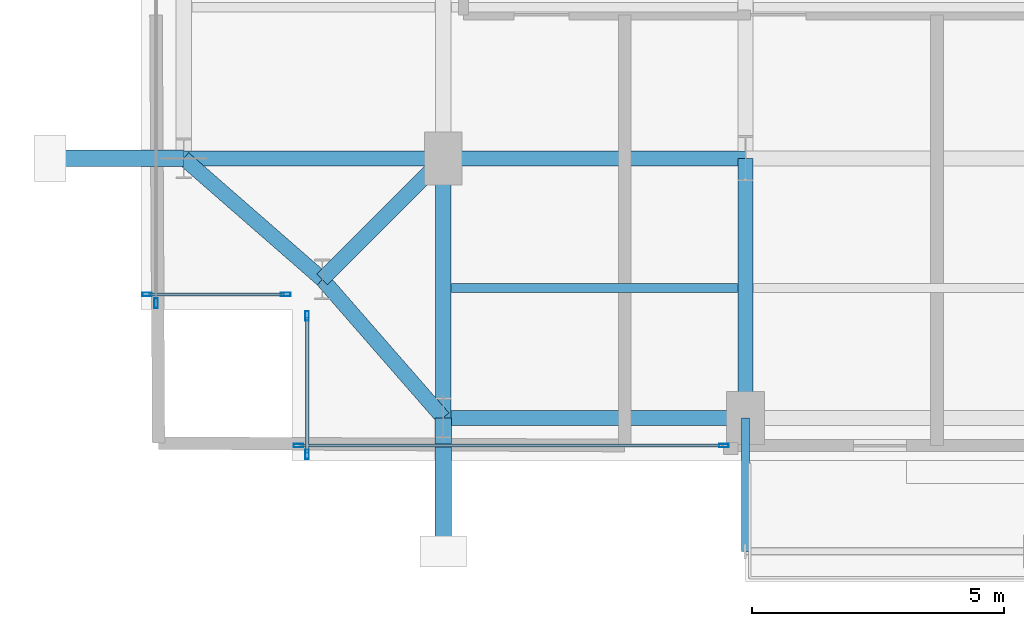
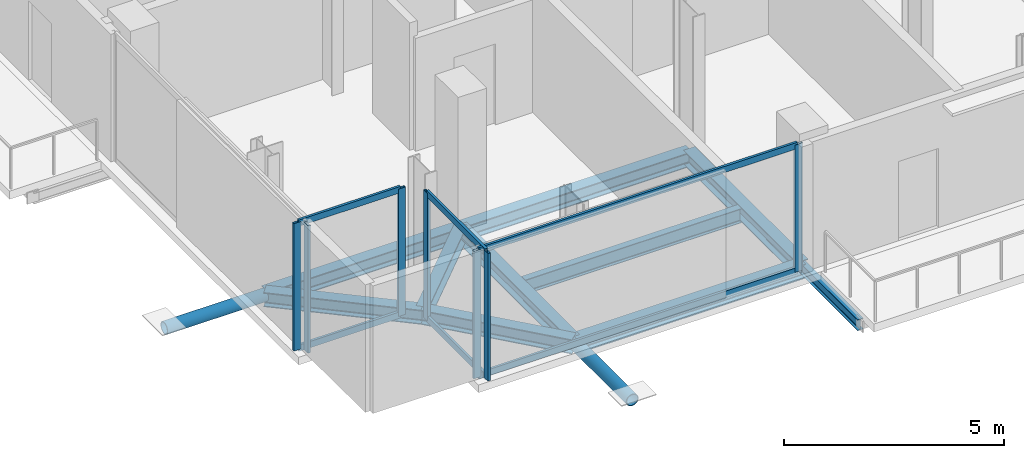
# One storey, part 2 of 21: 15 members, 10 beams, 4 elements without a shape of their own.
"""IFC4 building model written with IfcOpenShell, lengths in metres."""

from ifc_helpers import new_model, si_unit, direction, frame, origin, origin_2d, place, context, subcontext, project, spatial, hollow_rectangle, hollow_circle, i_section, extrude, material, layer, layer_set, material_profile, profile_set, type_object, element, aggregate, save


model = new_model("IFC4")

# Units and contexts
model_context = context("Model", 3, precision=1e-05, world=origin(), true_north=direction((0.0, 1.0)))
body_context = subcontext(model_context, "Body", "Model", "MODEL_VIEW")
ifc_project = project(units=[si_unit("LENGTHUNIT", "METRE"), si_unit("AREAUNIT", "SQUARE_METRE"), si_unit("VOLUMEUNIT", "CUBIC_METRE"), si_unit("PLANEANGLEUNIT", "RADIAN"), si_unit("MASSUNIT", "GRAM", prefix="KILO"), si_unit("THERMODYNAMICTEMPERATUREUNIT", "KELVIN"), si_unit("POWERUNIT", "WATT")], contexts=[model_context])

# Site, building, storey
site_placement = place(None, origin())
site = spatial("IfcSite", under=ifc_project, at=site_placement, CompositionType="ELEMENT")
building_placement = place(site_placement, origin())
building = spatial("IfcBuilding", under=site, at=building_placement, Name="Svarakhadi Broadcast Tower", CompositionType="ELEMENT")
storey_placement = place(building_placement, frame((0.0, 0.0, 187.949951171875)))
storey = spatial("IfcBuildingStorey", under=building, at=storey_placement, Name="L46", CompositionType="ELEMENT", Elevation=187.949951171875)

# Beam
ifc_material_1 = material(Name="Steel S355J2 (IS 2062 E350C)", Category="steel")
ifc_material_profile_1 = material_profile(ifc_material_1, i_section(OverallWidth=0.179931640625, OverallDepth=0.39990234375, WebThickness=0.008544921875, FlangeThickness=0.013427734375, FilletRadius=0.02099609375, at=origin_2d()), Name="NPB 400x180x66")
ifc_profile_set_1 = profile_set([ifc_material_profile_1], Name="Steel S355J2 (IS 2062 E350C)")
beam_type_1 = type_object("IfcBeamType", Name="Beam_NPB400", PredefinedType="BEAM", material=ifc_profile_set_1)
beam_1_placement = place(storey_placement, frame((6.159912109375, 3.425048828125, -0.409912109375), z_axis=(1.0, 0.0, 0.0), x_axis=(0.0, 1.0, 0.0)))
element("IfcBeam", 1, at=beam_1_placement, inside=storey, type_object=beam_type_1, Name="L46 Secondary Composite Beam SB005", PredefinedType="BEAM", context=body_context, shape_type="SweptSolid", body=[
    extrude(i_section(OverallWidth=0.179931640625, OverallDepth=0.39990234375, WebThickness=0.008544921875, FlangeThickness=0.013427734375, FilletRadius=0.02099609375, at=origin_2d()), origin(), (0.0, 0.0, 1.0), 5.68017578125),
])

# Curtain wall, members
ifc_material_2 = material(Name="Anodised Bronze Aluminium AA 6063-T6", Category="aluminium")
ifc_layer = layer(ifc_material_2, 0.18994140625)
ifc_layer_set = layer_set([ifc_layer], Name="Anodised Bronze Aluminium AA 6063-T6")
curtain_wall_type = type_object("IfcCurtainWallType", Name="CW_Sys_04", PredefinedType="NOTDEFINED", material=ifc_layer_set)
curtain_wall_1_placement = place(storey_placement, origin())
curtain_wall_1 = element("IfcCurtainWall", 2, at=curtain_wall_1_placement, inside=storey, type_object=curtain_wall_type, Name="L46 Unitised Facade Curtain Wall 01", PredefinedType="NOTDEFINED")
ifc_material_profile_2 = material_profile(ifc_material_2, hollow_rectangle(XDim=0.070068359375, YDim=0.18994140625, WallThickness=0.005615234375, at=origin_2d()), Name="ALU MULLION 190x70x6")
ifc_profile_set_2 = profile_set([ifc_material_profile_2], Name="Anodised Bronze Aluminium AA 6063-T6")
member_type_1 = type_object("IfcMemberType", Name="CW_Sys_04_Mul", PredefinedType="MULLION", material=ifc_profile_set_2)
member_1_placement = place(storey_placement, frame((2.875, 3.300048828125, 0.0), z_axis=(0.0, 0.0, 1.0), x_axis=(0.0, -1.0, 0.0)))
member_1 = element("IfcMember", 3, at=member_1_placement, type_object=member_type_1, Name="CW-04 mullion 1", PredefinedType="MULLION", context=body_context, shape_type="SweptSolid", body=[
    extrude(hollow_rectangle(XDim=0.070068359375, YDim=0.18994140625, WallThickness=0.005615234375, at=origin_2d()), origin(), (0.0, 0.0, 1.0), 3.5400390625),
])
member_2_placement = place(storey_placement, frame((0.125, 3.300048828125, 0.0), z_axis=(0.0, 0.0, 1.0), x_axis=(0.0, -1.0, 0.0)))
member_2 = element("IfcMember", 4, at=member_2_placement, type_object=member_type_1, Name="CW-04 mullion 2", PredefinedType="MULLION", context=body_context, shape_type="SweptSolid", body=[
    extrude(hollow_rectangle(XDim=0.070068359375, YDim=0.18994140625, WallThickness=0.005615234375, at=origin_2d()), origin(), (0.0, 0.0, 1.0), 3.5400390625),
])

# Curtain wall, member
curtain_wall_2_placement = place(storey_placement, origin())
curtain_wall_2 = element("IfcCurtainWall", 5, at=curtain_wall_2_placement, inside=storey, type_object=curtain_wall_type, Name="L46 West Curtain Wall 02", PredefinedType="NOTDEFINED")
member_3_placement = place(storey_placement, frame((0.300048828125, 3.125, 0.0), z_axis=(0.0, 0.0, 1.0), x_axis=(-1.0, 0.0, 0.0)))
member_3 = element("IfcMember", 6, at=member_3_placement, type_object=member_type_1, Name="CW-04 mullion 1", PredefinedType="MULLION", context=body_context, shape_type="SweptSolid", body=[
    extrude(hollow_rectangle(XDim=0.070068359375, YDim=0.18994140625, WallThickness=0.005615234375, at=origin_2d()), origin(), (0.0, 0.0, 1.0), 3.5400390625),
])
aggregate(curtain_wall_2, [member_3])

# Curtain wall, members
curtain_wall_3_placement = place(storey_placement, origin())
curtain_wall_3 = element("IfcCurtainWall", 7, at=curtain_wall_3_placement, inside=storey, type_object=curtain_wall_type, Name="L46 South Curtain Wall 16", PredefinedType="NOTDEFINED")
member_4_placement = place(storey_placement, frame((11.570068359375, 0.300048828125, 0.0), z_axis=(0.0, 0.0, 1.0), x_axis=(0.0, -1.0, 0.0)))
member_4 = element("IfcMember", 8, at=member_4_placement, type_object=member_type_1, Name="CW-04 mullion 1", PredefinedType="MULLION", context=body_context, shape_type="SweptSolid", body=[
    extrude(hollow_rectangle(XDim=0.070068359375, YDim=0.18994140625, WallThickness=0.005615234375, at=origin_2d()), origin(), (0.0, 0.0, 1.0), 3.5400390625),
])
member_5_placement = place(storey_placement, frame((3.125, 0.300048828125, 0.0), z_axis=(0.0, 0.0, 1.0), x_axis=(0.0, -1.0, 0.0)))
member_5 = element("IfcMember", 9, at=member_5_placement, type_object=member_type_1, Name="CW-04 mullion 2", PredefinedType="MULLION", context=body_context, shape_type="SweptSolid", body=[
    extrude(hollow_rectangle(XDim=0.070068359375, YDim=0.18994140625, WallThickness=0.005615234375, at=origin_2d()), origin(), (0.0, 0.0, 1.0), 3.5400390625),
])

curtain_wall_4_placement = place(storey_placement, origin())
curtain_wall_4 = element("IfcCurtainWall", 10, at=curtain_wall_4_placement, inside=storey, type_object=curtain_wall_type, Name="L46 Unitised Facade Curtain Wall 17", PredefinedType="NOTDEFINED")
member_6_placement = place(storey_placement, frame((3.300048828125, 0.125, 0.0), z_axis=(0.0, 0.0, 1.0), x_axis=(-1.0, 0.0, 0.0)))
member_6 = element("IfcMember", 11, at=member_6_placement, type_object=member_type_1, Name="CW-04 mullion 1", PredefinedType="MULLION", context=body_context, shape_type="SweptSolid", body=[
    extrude(hollow_rectangle(XDim=0.070068359375, YDim=0.18994140625, WallThickness=0.005615234375, at=origin_2d()), origin(), (0.0, 0.0, 1.0), 3.5400390625),
])
member_7_placement = place(storey_placement, frame((3.300048828125, 2.875, 0.0), z_axis=(0.0, 0.0, 1.0), x_axis=(-1.0, 0.0, 0.0)))
member_7 = element("IfcMember", 12, at=member_7_placement, type_object=member_type_1, Name="CW-04 mullion 2", PredefinedType="MULLION", context=body_context, shape_type="SweptSolid", body=[
    extrude(hollow_rectangle(XDim=0.070068359375, YDim=0.18994140625, WallThickness=0.005615234375, at=origin_2d()), origin(), (0.0, 0.0, 1.0), 3.5400390625),
])

# Member
ifc_material_profile_3 = material_profile(ifc_material_2, hollow_rectangle(XDim=0.06494140625, YDim=0.175048828125, WallThickness=0.0048828125, at=origin_2d()), Name="ALU TRANSOM 175x65x5")
ifc_profile_set_3 = profile_set([ifc_material_profile_3], Name="Anodised Bronze Aluminium AA 6063-T6")
member_type_2 = type_object("IfcMemberType", Name="CW_Sys_04_Trn", PredefinedType="USERDEFINED", material=ifc_profile_set_3)
member_8_placement = place(storey_placement, frame((2.840087890625, 3.300048828125, 0.032470703125), z_axis=(-1.0, 0.0, 0.0), x_axis=(0.0, -1.0, 0.0)))
member_8 = element("IfcMember", 13, at=member_8_placement, type_object=member_type_2, Name="CW-04 transom 1.1", ObjectType="TRANSOM", PredefinedType="USERDEFINED", context=body_context, shape_type="SweptSolid", body=[
    extrude(hollow_rectangle(XDim=0.06494140625, YDim=0.175048828125, WallThickness=0.0048828125, at=origin_2d()), origin(), (0.0, 0.0, 1.0), 2.68017578125),
])

member_9_placement = place(storey_placement, frame((2.840087890625, 3.300048828125, 3.507568359375), z_axis=(-1.0, 0.0, 0.0), x_axis=(0.0, -1.0, 0.0)))
member_9 = element("IfcMember", 14, at=member_9_placement, type_object=member_type_2, Name="CW-04 transom 1.2", ObjectType="TRANSOM", PredefinedType="USERDEFINED", context=body_context, shape_type="SweptSolid", body=[
    extrude(hollow_rectangle(XDim=0.06494140625, YDim=0.175048828125, WallThickness=0.0048828125, at=origin_2d()), origin(), (0.0, 0.0, 1.0), 2.68017578125),
])

aggregate(curtain_wall_1, [member_1, member_2, member_8, member_9])

member_10_placement = place(storey_placement, frame((11.534912109375, 0.300048828125, 0.032470703125), z_axis=(-1.0, 0.0, 0.0), x_axis=(0.0, -1.0, 0.0)))
member_10 = element("IfcMember", 15, at=member_10_placement, type_object=member_type_2, Name="CW-04 transom 1.1", ObjectType="TRANSOM", PredefinedType="USERDEFINED", context=body_context, shape_type="SweptSolid", body=[
    extrude(hollow_rectangle(XDim=0.06494140625, YDim=0.175048828125, WallThickness=0.0048828125, at=origin_2d()), origin(), (0.0, 0.0, 1.0), 8.375),
])

member_11_placement = place(storey_placement, frame((11.534912109375, 0.300048828125, 3.507568359375), z_axis=(-1.0, 0.0, 0.0), x_axis=(0.0, -1.0, 0.0)))
member_11 = element("IfcMember", 16, at=member_11_placement, type_object=member_type_2, Name="CW-04 transom 1.2", ObjectType="TRANSOM", PredefinedType="USERDEFINED", context=body_context, shape_type="SweptSolid", body=[
    extrude(hollow_rectangle(XDim=0.06494140625, YDim=0.175048828125, WallThickness=0.0048828125, at=origin_2d()), origin(), (0.0, 0.0, 1.0), 8.375),
])

aggregate(curtain_wall_3, [member_4, member_5, member_10, member_11])

member_12_placement = place(storey_placement, frame((3.300048828125, 0.159912109375, 0.032470703125), z_axis=(0.0, 1.0, 0.0), x_axis=(-1.0, 0.0, 0.0)))
member_12 = element("IfcMember", 17, at=member_12_placement, type_object=member_type_2, Name="CW-04 transom 1.1", ObjectType="TRANSOM", PredefinedType="USERDEFINED", context=body_context, shape_type="SweptSolid", body=[
    extrude(hollow_rectangle(XDim=0.06494140625, YDim=0.175048828125, WallThickness=0.0048828125, at=origin_2d()), origin(), (0.0, 0.0, 1.0), 2.68017578125),
])

member_13_placement = place(storey_placement, frame((3.300048828125, 0.159912109375, 3.507568359375), z_axis=(0.0, 1.0, 0.0), x_axis=(-1.0, 0.0, 0.0)))
member_13 = element("IfcMember", 18, at=member_13_placement, type_object=member_type_2, Name="CW-04 transom 1.2", ObjectType="TRANSOM", PredefinedType="USERDEFINED", context=body_context, shape_type="SweptSolid", body=[
    extrude(hollow_rectangle(XDim=0.06494140625, YDim=0.175048828125, WallThickness=0.0048828125, at=origin_2d()), origin(), (0.0, 0.0, 1.0), 2.68017578125),
])

aggregate(curtain_wall_4, [member_6, member_7, member_12, member_13])

# Members
ifc_material_3 = material(Name="Steel S460ML (IS 2062 E450BR)", Category="steel")
ifc_material_profile_4 = material_profile(ifc_material_3, hollow_circle(Radius=0.161865234375, WallThickness=0.01611328125, at=origin_2d()), Name="CHS 323.9x16")
ifc_profile_set_4 = profile_set([ifc_material_profile_4], Name="Steel S460ML (IS 2062 E450BR)")
member_type_3 = type_object("IfcMemberType", Name="Exo_Radial_Strut_Z2", PredefinedType="STRUT", material=ifc_profile_set_4)
for number, where, z_axis, x_axis, name in (
    (19, (6.0, -1.800048828125, -0.371826171875), (0.0, 1.0, 0.0), (-1.0, 0.0, 0.0), "L46 Exoskeleton Radial Tie Strut S01"),
    (20, (-1.800048828125, 6.0, -0.371826171875), (1.0, 0.0, 0.0), (0.0, 1.0, 0.0), "L46 Exoskeleton Radial Tie Strut W04"),
):
    element("IfcMember", number, at=place(storey_placement, frame(where, z_axis=z_axis, x_axis=x_axis)), inside=storey, type_object=member_type_3, Name=name, PredefinedType="STRUT", context=body_context, shape_type="SweptSolid", body=[
        extrude(hollow_circle(Radius=0.161865234375, WallThickness=0.01611328125, at=origin_2d()), origin(), (0.0, 0.0, 1.0), 2.650146484375),
    ])

# Beams
ifc_material_profile_5 = material_profile(ifc_material_1, i_section(OverallWidth=0.300048828125, OverallDepth=0.39990234375, WebThickness=0.013427734375, FlangeThickness=0.02392578125, FilletRadius=0.027099609375, at=origin_2d()), Name="WPB 400x300x155")
ifc_profile_set_5 = profile_set([ifc_material_profile_5], Name="Steel S355J2 (IS 2062 E350C)")
beam_type_2 = type_object("IfcBeamType", Name="Girder_WPB400", PredefinedType="USERDEFINED", material=ifc_profile_set_5)
beam_2_placement = place(storey_placement, frame((3.60009765625, 3.60009765625, -0.409912109375), z_axis=(0.707106781187, 0.707106781187, 0.0), x_axis=(-0.707106781187, 0.707106781187, 0.0)))
element("IfcBeam", 21, at=beam_2_placement, inside=storey, type_object=beam_type_2, Name="L46 Corner Tie Girder G001", ObjectType="GIRDER", PredefinedType="USERDEFINED", context=body_context, shape_type="SweptSolid", body=[
    extrude(i_section(OverallWidth=0.300048828125, OverallDepth=0.39990234375, WebThickness=0.013427734375, FlangeThickness=0.02392578125, FilletRadius=0.027099609375, at=origin_2d()), origin(), (0.0, 0.0, 1.0), 3.39404296875),
])
for number, where, z_axis, x_axis, name in (
    (22, (3.60009765625, 3.60009765625, -0.409912109375), (-0.753437912176, 0.657519058655, 0.0), (-0.657519058655, -0.753437912176, 0.0), "L46 Corner Tie Girder G002"),
    (23, (3.60009765625, 3.60009765625, -0.409912109375), (0.657519058655, -0.753437912176, 0.0), (0.753437912176, 0.657519058655, 0.0), "L46 Corner Tie Girder G003"),
):
    element("IfcBeam", number, at=place(storey_placement, frame(where, z_axis=z_axis, x_axis=x_axis)), inside=storey, type_object=beam_type_2, Name=name, ObjectType="GIRDER", PredefinedType="USERDEFINED", context=body_context, shape_type="SweptSolid", body=[
        extrude(i_section(OverallWidth=0.300048828125, OverallDepth=0.39990234375, WebThickness=0.013427734375, FlangeThickness=0.02392578125, FilletRadius=0.027099609375, at=origin_2d()), origin(), (0.0, 0.0, 1.0), 3.64990234375),
    ])
beam_3_placement = place(storey_placement, frame((6.0, 0.85009765625, -0.409912109375), z_axis=(1.0, 0.0, 0.0), x_axis=(0.0, 1.0, 0.0)))
element("IfcBeam", 24, at=beam_3_placement, inside=storey, type_object=beam_type_2, Name="L46 Primary E-W Girder G004", ObjectType="GIRDER", PredefinedType="USERDEFINED", context=body_context, shape_type="SweptSolid", body=[
    extrude(i_section(OverallWidth=0.300048828125, OverallDepth=0.39990234375, WebThickness=0.013427734375, FlangeThickness=0.02392578125, FilletRadius=0.027099609375, at=origin_2d()), origin(), (0.0, 0.0, 1.0), 6.0),
])
beam_4_placement = place(storey_placement, frame((0.85009765625, 6.0, -0.409912109375), z_axis=(1.0, 0.0, 0.0), x_axis=(0.0, 1.0, 0.0)))
element("IfcBeam", 25, at=beam_4_placement, inside=storey, type_object=beam_type_2, Name="L46 Primary E-W Girder G009", ObjectType="GIRDER", PredefinedType="USERDEFINED", context=body_context, shape_type="SweptSolid", body=[
    extrude(i_section(OverallWidth=0.300048828125, OverallDepth=0.39990234375, WebThickness=0.013427734375, FlangeThickness=0.02392578125, FilletRadius=0.027099609375, at=origin_2d()), origin(), (0.0, 0.0, 1.0), 5.14990234375),
])
beam_5_placement = place(storey_placement, frame((6.0, 6.0, -0.409912109375), z_axis=(1.0, 0.0, 0.0), x_axis=(0.0, 1.0, 0.0)))
element("IfcBeam", 26, at=beam_5_placement, inside=storey, type_object=beam_type_2, Name="L46 Primary E-W Girder G010", ObjectType="GIRDER", PredefinedType="USERDEFINED", context=body_context, shape_type="SweptSolid", body=[
    extrude(i_section(OverallWidth=0.300048828125, OverallDepth=0.39990234375, WebThickness=0.013427734375, FlangeThickness=0.02392578125, FilletRadius=0.027099609375, at=origin_2d()), origin(), (0.0, 0.0, 1.0), 6.0),
])
for number, where, z_axis, x_axis, name in (
    (27, (6.0, 0.85009765625, -0.409912109375), (0.0, 1.0, 0.0), (-1.0, 0.0, 0.0), "L46 Primary N-S Girder G037"),
    (28, (12.0, 0.85009765625, -0.409912109375), (0.0, 1.0, 0.0), (-1.0, 0.0, 0.0), "L46 Primary N-S Girder G042"),
):
    element("IfcBeam", number, at=place(storey_placement, frame(where, z_axis=z_axis, x_axis=x_axis)), inside=storey, type_object=beam_type_2, Name=name, ObjectType="GIRDER", PredefinedType="USERDEFINED", context=body_context, shape_type="SweptSolid", body=[
        extrude(i_section(OverallWidth=0.300048828125, OverallDepth=0.39990234375, WebThickness=0.013427734375, FlangeThickness=0.02392578125, FilletRadius=0.027099609375, at=origin_2d()), origin(), (0.0, 0.0, 1.0), 5.14990234375),
    ])
ifc_material_profile_6 = material_profile(ifc_material_1, i_section(OverallWidth=0.14990234375, OverallDepth=0.300048828125, WebThickness=0.007080078125, FlangeThickness=0.0107421875, FilletRadius=0.014892578125, at=origin_2d()), Name="NPB 300x150x37")
ifc_profile_set_6 = profile_set([ifc_material_profile_6], Name="Steel S355J2 (IS 2062 E350C)")
beam_type_3 = type_object("IfcBeamType", Name="Spandrel_NPB300", PredefinedType="SPANDREL", material=ifc_profile_set_6)
beam_6_placement = place(storey_placement, frame((12.0, 0.85009765625, -0.375), z_axis=(0.0, -1.0, 0.0), x_axis=(1.0, 0.0, 0.0)))
element("IfcBeam", 29, at=beam_6_placement, inside=storey, type_object=beam_type_3, Name="L46 Balcony Cantilever Bracket 1A", PredefinedType="SPANDREL", context=body_context, shape_type="SweptSolid", body=[
    extrude(i_section(OverallWidth=0.14990234375, OverallDepth=0.300048828125, WebThickness=0.007080078125, FlangeThickness=0.0107421875, FilletRadius=0.014892578125, at=origin_2d()), origin(), (0.0, 0.0, 1.0), 2.650146484375),
])

save(model, "model.ifc")
